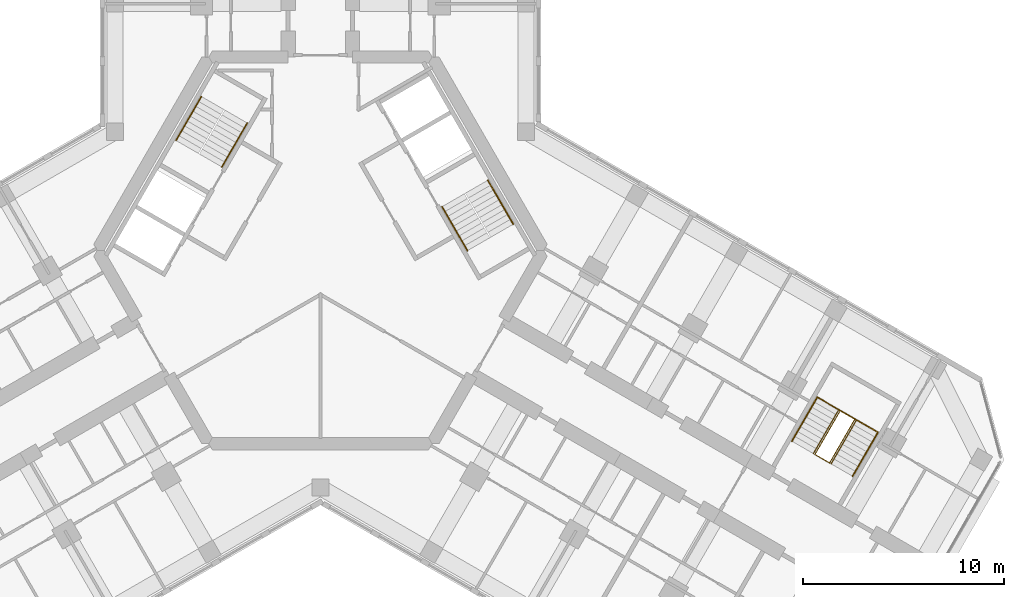
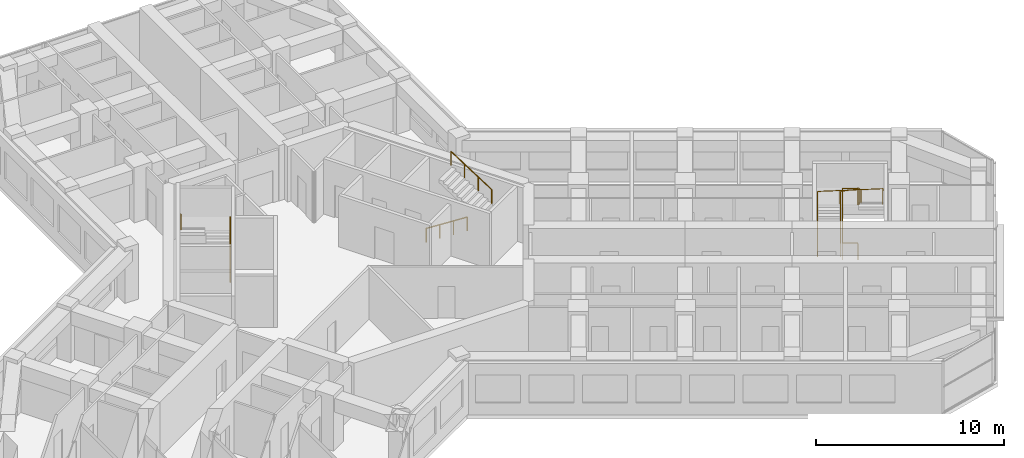
# One storey, part 16 of 16: 7 railings.
"""IFC4 building model written with IfcOpenShell, lengths in metres."""

from ifc_helpers import new_model, si_unit, direction, frame, origin, origin_2d, place, context, subcontext, project, spatial, circle, extrude, material, type_object, element, save


model = new_model("IFC4")

# Units and contexts
model_context = context("Model", 3, precision=1e-05, world=origin(), true_north=direction((0.0, 1.0)))
body_context = subcontext(model_context, "Body", "Model", "MODEL_VIEW")
ifc_project = project(units=[si_unit("LENGTHUNIT", "METRE"), si_unit("AREAUNIT", "SQUARE_METRE"), si_unit("VOLUMEUNIT", "CUBIC_METRE"), si_unit("PLANEANGLEUNIT", "RADIAN"), si_unit("MASSUNIT", "GRAM", prefix="KILO")], contexts=[model_context])

# Site, building, storey
site_placement = place(None, origin())
site = spatial("IfcSite", under=ifc_project, at=site_placement, CompositionType="ELEMENT")
building_placement = place(site_placement, origin())
building = spatial("IfcBuilding", under=site, at=building_placement, Name="Kosmar Iwan School Tower", CompositionType="ELEMENT")
storey_placement = place(building_placement, frame((0.0, 0.0, 235.199951171875)))
storey = spatial("IfcBuildingStorey", under=building, at=storey_placement, Name="L59", CompositionType="ELEMENT", Elevation=235.199951171875)

# Railings
ifc_material_1 = material(Name="Black steel", Category="steel")
railing_type_1 = type_object("IfcRailingType", Name="Stair handrail 900", PredefinedType="HANDRAIL", material=ifc_material_1)
railing_1_placement = place(storey_placement, frame((-4.89453125, 4.142333984375, 0.179931640625)))
element("IfcRailing", 1, at=railing_1_placement, inside=storey, type_object=railing_type_1, Name="Handrail ST2 flight 1", PredefinedType="HANDRAIL", context=body_context, shape_type="SweptSolid", body=[
    extrude(circle(Radius=0.02392578125, at=origin_2d()), frame((0.0, 0.0, 0.8759765625), z_axis=(0.420584145978, 0.728463801763, 0.540785970299), x_axis=(-0.866022637375, 0.500004791531, 0.0)), (0.0, 0.0, 1.0), 2.995849609375),
    extrude(circle(Radius=0.02099609375, at=origin_2d()), origin(), (0.0, 0.0, 1.0), 0.851806640625),
    extrude(circle(Radius=0.02099609375, at=origin_2d()), frame((0.419921875, 0.7275390625, 0.5400390625)), (0.0, 0.0, 1.0), 0.851806640625),
    extrude(circle(Radius=0.02099609375, at=origin_2d()), frame((0.840087890625, 1.454833984375, 1.080078125)), (0.0, 0.0, 1.0), 0.851806640625),
    extrude(circle(Radius=0.02099609375, at=origin_2d()), frame((1.260009765625, 2.182373046875, 1.6201171875)), (0.0, 0.0, 1.0), 0.851806640625),
])
railing_2_placement = place(storey_placement, frame((-5.912353515625, 7.6396484375, 1.97998046875)))
element("IfcRailing", 2, at=railing_2_placement, inside=storey, type_object=railing_type_1, Name="Handrail ST2 flight 2", PredefinedType="HANDRAIL", context=body_context, shape_type="SweptSolid", body=[
    extrude(circle(Radius=0.02392578125, at=origin_2d()), frame((0.0, 0.0, 0.8759765625), z_axis=(-0.420584145978, -0.728463801763, 0.540785970299), x_axis=(0.866022637375, -0.500004791531, 0.0)), (0.0, 0.0, 1.0), 2.995849609375),
    extrude(circle(Radius=0.02099609375, at=origin_2d()), origin(), (0.0, 0.0, 1.0), 0.851806640625),
    extrude(circle(Radius=0.02099609375, at=origin_2d()), frame((-0.419921875, -0.7275390625, 0.5400390625)), (0.0, 0.0, 1.0), 0.851806640625),
    extrude(circle(Radius=0.02099609375, at=origin_2d()), frame((-0.840087890625, -1.454833984375, 1.080078125)), (0.0, 0.0, 1.0), 0.851806640625),
    extrude(circle(Radius=0.02099609375, at=origin_2d()), frame((-1.260009765625, -2.182373046875, 1.6201171875)), (0.0, 0.0, 1.0), 0.851806640625),
])
railing_3_placement = place(storey_placement, frame((6.03466796875, 2.167724609375, 0.179931640625)))
element("IfcRailing", 3, at=railing_3_placement, inside=storey, type_object=railing_type_1, Name="Handrail ST1 flight 1", PredefinedType="HANDRAIL", context=body_context, shape_type="SweptSolid", body=[
    extrude(circle(Radius=0.02392578125, at=origin_2d()), frame((0.0, 0.0, 0.8759765625), z_axis=(0.420584145978, -0.728463801763, 0.540785970299), x_axis=(0.866022637375, 0.500004791531, 0.0)), (0.0, 0.0, 1.0), 2.995849609375),
    extrude(circle(Radius=0.02099609375, at=origin_2d()), origin(), (0.0, 0.0, 1.0), 0.851806640625),
    extrude(circle(Radius=0.02099609375, at=origin_2d()), frame((0.419921875, -0.7275390625, 0.5400390625)), (0.0, 0.0, 1.0), 0.851806640625),
    extrude(circle(Radius=0.02099609375, at=origin_2d()), frame((0.840087890625, -1.454833984375, 1.080078125)), (0.0, 0.0, 1.0), 0.851806640625),
    extrude(circle(Radius=0.02099609375, at=origin_2d()), frame((1.260009765625, -2.182373046875, 1.6201171875)), (0.0, 0.0, 1.0), 0.851806640625),
])
railing_4_placement = place(storey_placement, frame((9.572265625, 1.30029296875, 1.97998046875)))
element("IfcRailing", 4, at=railing_4_placement, inside=storey, type_object=railing_type_1, Name="Handrail ST1 flight 2", PredefinedType="HANDRAIL", context=body_context, shape_type="SweptSolid", body=[
    extrude(circle(Radius=0.02392578125, at=origin_2d()), frame((0.0, 0.0, 0.8759765625), z_axis=(-0.420584145978, 0.728463801763, 0.540785970299), x_axis=(-0.866022637375, -0.500004791531, 0.0)), (0.0, 0.0, 1.0), 2.995849609375),
    extrude(circle(Radius=0.02099609375, at=origin_2d()), origin(), (0.0, 0.0, 1.0), 0.851806640625),
    extrude(circle(Radius=0.02099609375, at=origin_2d()), frame((-0.419921875, 0.7275390625, 0.5400390625)), (0.0, 0.0, 1.0), 0.851806640625),
    extrude(circle(Radius=0.02099609375, at=origin_2d()), frame((-0.840087890625, 1.454833984375, 1.080078125)), (0.0, 0.0, 1.0), 0.851806640625),
    extrude(circle(Radius=0.02099609375, at=origin_2d()), frame((-1.260009765625, 2.182373046875, 1.6201171875)), (0.0, 0.0, 1.0), 0.851806640625),
])
railing_5_placement = place(storey_placement, frame((23.4091796875, -9.473876953125, 0.179931640625)))
element("IfcRailing", 5, at=railing_5_placement, inside=storey, type_object=railing_type_1, Name="Handrail stair WS3 L59 wall side", PredefinedType="HANDRAIL", context=body_context, shape_type="SweptSolid", body=[
    extrude(circle(Radius=0.02392578125, at=origin_2d()), frame((0.0, 0.0, 0.8759765625), z_axis=(0.420584145978, 0.728463801763, 0.540785970299), x_axis=(-0.866022637375, 0.500004791531, 0.0)), (0.0, 0.0, 1.0), 2.995849609375),
    extrude(circle(Radius=0.02392578125, at=origin_2d()), frame((1.260009765625, 2.182373046875, 2.49609375), z_axis=(0.864882007433, -0.499312601618, 0.051633701051), x_axis=(0.499979528911, 0.866037222451, 0.0)), (0.0, 0.0, 1.0), 3.48486328125),
    extrude(circle(Radius=0.02392578125, at=origin_2d()), frame((4.27392578125, 0.4423828125, 2.67578125), z_axis=(-0.420584145978, -0.728463801763, 0.540785970299), x_axis=(0.866022637375, -0.500004791531, 0.0)), (0.0, 0.0, 1.0), 2.995849609375),
    extrude(circle(Radius=0.02099609375, at=origin_2d()), origin(), (0.0, 0.0, 1.0), 0.851806640625),
    extrude(circle(Radius=0.02099609375, at=origin_2d()), frame((0.419921875, 0.7275390625, 0.5400390625)), (0.0, 0.0, 1.0), 0.851806640625),
    extrude(circle(Radius=0.02099609375, at=origin_2d()), frame((0.840087890625, 1.454833984375, 1.080078125)), (0.0, 0.0, 1.0), 0.851806640625),
    extrude(circle(Radius=0.02099609375, at=origin_2d()), frame((1.260009765625, 2.182373046875, 1.6201171875)), (0.0, 0.0, 1.0), 0.851806640625),
    extrude(circle(Radius=0.02099609375, at=origin_2d()), frame((2.2646484375, 1.602294921875, 1.68017578125)), (0.0, 0.0, 1.0), 0.851806640625),
    extrude(circle(Radius=0.02099609375, at=origin_2d()), frame((3.269287109375, 1.0224609375, 1.739990234375)), (0.0, 0.0, 1.0), 0.851806640625),
    extrude(circle(Radius=0.02099609375, at=origin_2d()), frame((4.27392578125, 0.4423828125, 1.800048828125)), (0.0, 0.0, 1.0), 0.851806640625),
    extrude(circle(Radius=0.02099609375, at=origin_2d()), frame((3.85400390625, -0.28515625, 2.340087890625)), (0.0, 0.0, 1.0), 0.851806640625),
    extrude(circle(Radius=0.02099609375, at=origin_2d()), frame((3.433837890625, -1.012451171875, 2.880126953125)), (0.0, 0.0, 1.0), 0.851806640625),
    extrude(circle(Radius=0.02099609375, at=origin_2d()), frame((3.013916015625, -1.739990234375, 3.420166015625)), (0.0, 0.0, 1.0), 0.851806640625),
])
railing_6_placement = place(storey_placement, frame((24.474609375, -10.0888671875, 0.179931640625)))
element("IfcRailing", 6, at=railing_6_placement, inside=storey, type_object=railing_type_1, Name="Handrail stair WS3 L59 well side", PredefinedType="HANDRAIL", context=body_context, shape_type="SweptSolid", body=[
    extrude(circle(Radius=0.02392578125, at=origin_2d()), frame((0.0, 0.0, 0.8759765625), z_axis=(0.420584145978, 0.728463801763, 0.540785970299), x_axis=(-0.866022637375, 0.500004791531, 0.0)), (0.0, 0.0, 1.0), 2.995849609375),
    extrude(circle(Radius=0.02392578125, at=origin_2d()), frame((1.260009765625, 2.182373046875, 2.49609375), z_axis=(0.852841519511, -0.492422867401, 0.173726976197), x_axis=(0.500026340207, 0.866010195725, 0.0)), (0.0, 0.0, 1.0), 1.03564453125),
    extrude(circle(Radius=0.02392578125, at=origin_2d()), frame((2.143310546875, 1.67236328125, 2.67578125), z_axis=(-0.420584145978, -0.728463801763, 0.540785970299), x_axis=(0.866022637375, -0.500004791531, 0.0)), (0.0, 0.0, 1.0), 2.995849609375),
    extrude(circle(Radius=0.02099609375, at=origin_2d()), origin(), (0.0, 0.0, 1.0), 0.851806640625),
    extrude(circle(Radius=0.02099609375, at=origin_2d()), frame((0.419921875, 0.7275390625, 0.5400390625)), (0.0, 0.0, 1.0), 0.851806640625),
    extrude(circle(Radius=0.02099609375, at=origin_2d()), frame((0.840087890625, 1.454833984375, 1.080078125)), (0.0, 0.0, 1.0), 0.851806640625),
    extrude(circle(Radius=0.02099609375, at=origin_2d()), frame((1.260009765625, 2.182373046875, 1.6201171875)), (0.0, 0.0, 1.0), 0.851806640625),
    extrude(circle(Radius=0.02099609375, at=origin_2d()), frame((2.143310546875, 1.67236328125, 1.800048828125)), (0.0, 0.0, 1.0), 0.851806640625),
    extrude(circle(Radius=0.02099609375, at=origin_2d()), frame((1.723388671875, 0.94482421875, 2.340087890625)), (0.0, 0.0, 1.0), 0.851806640625),
    extrude(circle(Radius=0.02099609375, at=origin_2d()), frame((1.30322265625, 0.217529296875, 2.880126953125)), (0.0, 0.0, 1.0), 0.851806640625),
    extrude(circle(Radius=0.02099609375, at=origin_2d()), frame((0.88330078125, -0.510009765625, 3.420166015625)), (0.0, 0.0, 1.0), 0.851806640625),
])
ifc_material_2 = material(Name="Black steel", Category="steel")
railing_type_2 = type_object("IfcRailingType", Name="Stair well guard 1100", PredefinedType="GUARDRAIL", material=ifc_material_2)
railing_7_placement = place(storey_placement, frame((25.280029296875, -10.553955078125, 0.0)))
element("IfcRailing", 7, at=railing_7_placement, inside=storey, type_object=railing_type_2, Name="Stair WS3 L59 well guard", PredefinedType="GUARDRAIL", context=body_context, shape_type="SweptSolid", body=[
    extrude(circle(Radius=0.02392578125, at=origin_2d()), frame((0.0, 0.0, 1.076171875), z_axis=(-0.865962960534, 0.500108139288, 0.0), x_axis=(-0.500108139288, -0.865962960534, 0.0)), (0.0, 0.0, 1.0), 0.840087890625),
    extrude(circle(Radius=0.02392578125, at=origin_2d()), frame((-0.7275390625, 0.420166015625, 1.076171875), z_axis=(0.40686665399, 0.704704712268, 0.58124933925), x_axis=(-0.866022637375, 0.500004791531, 0.0)), (0.0, 0.0, 1.0), 3.096923828125),
    extrude(circle(Radius=0.02392578125, at=origin_2d()), frame((0.532470703125, 2.6025390625, 2.8759765625), z_axis=(0.865890253765, -0.500234013672, 0.0), x_axis=(0.500234013672, 0.865890253765, 0.0)), (0.0, 0.0, 1.0), 0.83984375),
    extrude(circle(Radius=0.02392578125, at=origin_2d()), frame((1.259765625, 2.182373046875, 2.8759765625), z_axis=(-0.406800866334, -0.70472731476, 0.58126798207), x_axis=(0.866064587494, -0.499932125682, 0.0)), (0.0, 0.0, 1.0), 3.0966796875),
    extrude(circle(Radius=0.02099609375, at=origin_2d()), origin(), (0.0, 0.0, 1.0), 1.052001953125),
    extrude(circle(Radius=0.02099609375, at=origin_2d()), frame((-0.7275390625, 0.420166015625, 0.0)), (0.0, 0.0, 1.0), 1.052001953125),
    extrude(circle(Radius=0.02099609375, at=origin_2d()), frame((-0.3076171875, 1.147705078125, 0.60009765625)), (0.0, 0.0, 1.0), 1.052001953125),
    extrude(circle(Radius=0.02099609375, at=origin_2d()), frame((0.112548828125, 1.875, 1.199951171875)), (0.0, 0.0, 1.0), 1.052001953125),
    extrude(circle(Radius=0.02099609375, at=origin_2d()), frame((0.532470703125, 2.6025390625, 1.800048828125)), (0.0, 0.0, 1.0), 1.052001953125),
    extrude(circle(Radius=0.02099609375, at=origin_2d()), frame((1.259765625, 2.182373046875, 1.800048828125)), (0.0, 0.0, 1.0), 1.052001953125),
    extrude(circle(Radius=0.02099609375, at=origin_2d()), frame((0.83984375, 1.454833984375, 2.400146484375)), (0.0, 0.0, 1.0), 1.052001953125),
    extrude(circle(Radius=0.02099609375, at=origin_2d()), frame((0.419921875, 0.7275390625, 3.0)), (0.0, 0.0, 1.0), 1.052001953125),
    extrude(circle(Radius=0.02099609375, at=origin_2d()), frame((0.0, 0.0, 3.60009765625)), (0.0, 0.0, 1.0), 1.052001953125),
])

save(model, "model.ifc")
